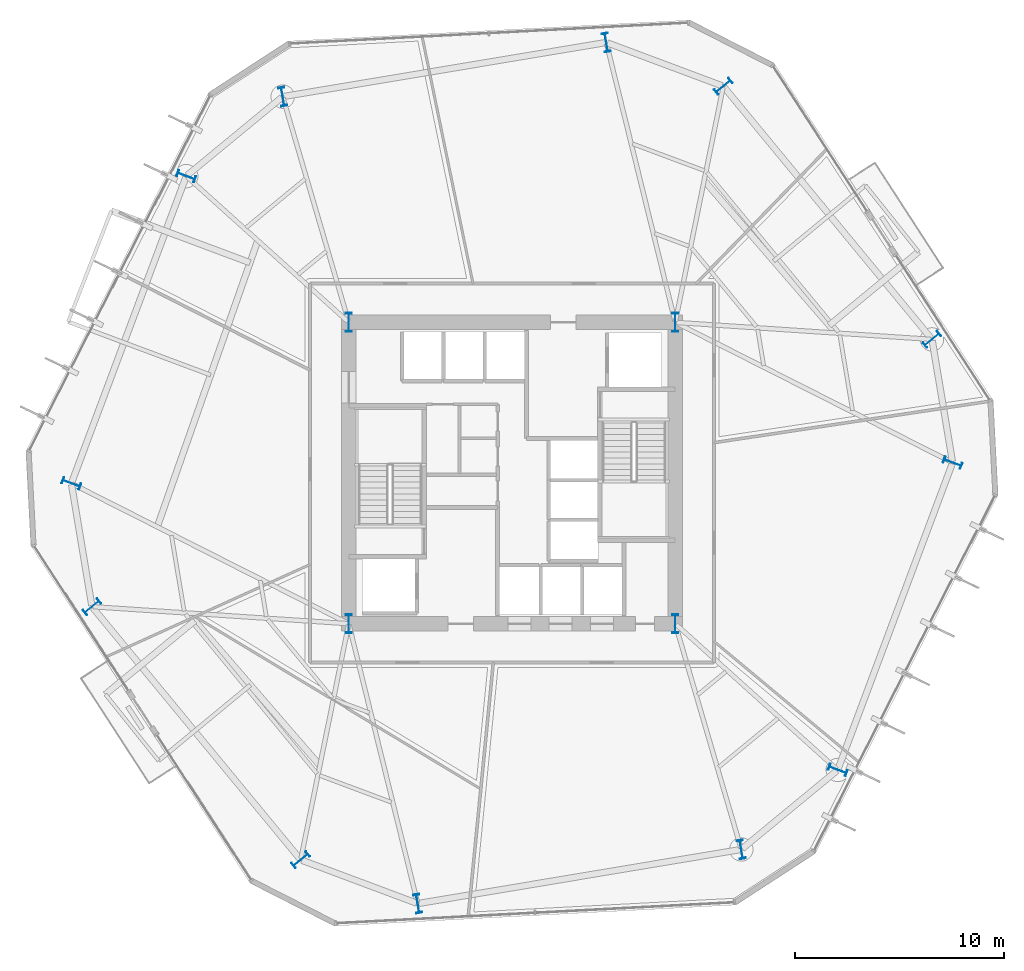
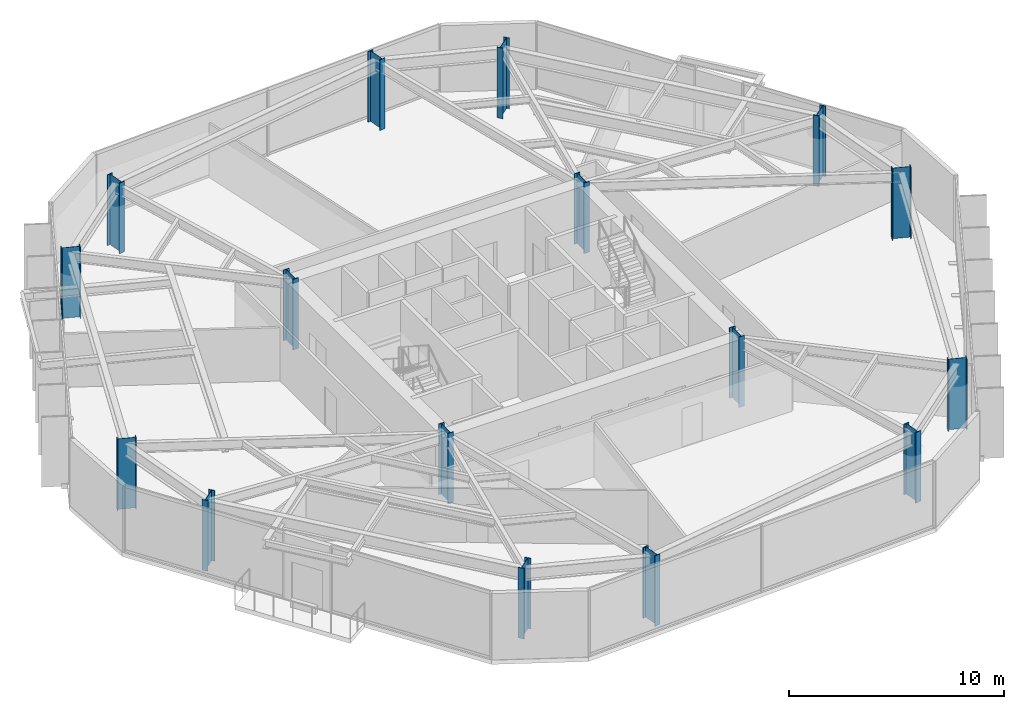
# One storey, part 1 of 10: 16 columns.
"""IFC4 building model written with IfcOpenShell, lengths in metres."""

from ifc_helpers import new_model, si_unit, direction, frame, origin, origin_2d, place, context, subcontext, project, spatial, i_section, extrude, material, material_profile, profile_set, type_object, element, save


model = new_model("IFC4")

# Units and contexts
model_context = context("Model", 3, precision=1e-05, world=origin(), true_north=direction((0.0, 1.0)))
body_context = subcontext(model_context, "Body", "Model", "MODEL_VIEW")
ifc_project = project(units=[si_unit("LENGTHUNIT", "METRE"), si_unit("AREAUNIT", "SQUARE_METRE"), si_unit("VOLUMEUNIT", "CUBIC_METRE"), si_unit("PLANEANGLEUNIT", "RADIAN"), si_unit("MASSUNIT", "GRAM", prefix="KILO")], contexts=[model_context])

# Site, building, storey
site_placement = place(None, origin())
site = spatial("IfcSite", under=ifc_project, at=site_placement, CompositionType="ELEMENT")
building_placement = place(site_placement, origin())
building = spatial("IfcBuilding", under=site, at=building_placement, Name="Kranzbogen Civic Tower", CompositionType="ELEMENT")
storey_placement = place(building_placement, frame((0.0, 0.0, 32.0)))
storey = spatial("IfcBuildingStorey", under=building, at=storey_placement, Name="L07", CompositionType="ELEMENT", Elevation=32.0)

# Columns
ifc_material = material(Name="Steel S460", Category="steel")
ifc_material_profile = material_profile(ifc_material, i_section(OverallWidth=0.302001953125, OverallDepth=0.909912109375, WebThickness=0.02099609375, FlangeThickness=0.0400390625, at=origin_2d()), Name="HEM 900")
ifc_profile_set = profile_set([ifc_material_profile], Name="Steel S460")
column_type = type_object("IfcColumnType", Name="Structural Column HEM 900", PredefinedType="COLUMN", material=ifc_profile_set)
for number, where, z_axis, x_axis, name in (
    (1, (17.199951171875, 17.800048828125, 0.0), (0.0, 0.0, 1.0), (1.0, 0.0, 0.0), "L07 composite core corner column 1"),
    (2, (32.800048828125, 17.800048828125, 0.0), (0.0, 0.0, 1.0), (1.0, 0.0, 0.0), "L07 composite core corner column 2"),
    (3, (32.800048828125, 32.199951171875, 0.0), (0.0, 0.0, 1.0), (1.0, 0.0, 0.0), "L07 composite core corner column 3"),
    (4, (17.199951171875, 32.199951171875, 0.0), (0.0, 0.0, 1.0), (1.0, 0.0, 0.0), "L07 composite core corner column 4"),
    (5, (45.072021484375, 31.385986328125, 0.0), (0.0, 0.0, 1.0), (-0.636078220278, 0.771624583388, 0.0), "L07 tower perimeter tube column 01"),
    (6, (35.09912109375, 43.48388671875, 0.0), (0.0, 0.0, 1.0), (-0.636078220278, 0.771624583388, 0.0), "L07 tower perimeter tube column 02"),
    (7, (29.5048828125, 45.575927734375, 0.0), (0.0, 0.0, 1.0), (0.986285601537, 0.165047605861, 0.0), "L07 tower perimeter tube column 03"),
    (8, (14.0419921875, 42.988037109375, 0.0), (0.0, 0.0, 1.0), (0.986285601537, 0.165047605861, 0.0), "L07 tower perimeter tube column 04"),
    (9, (9.43310546875, 39.18896484375, 0.0), (0.0, 0.0, 1.0), (0.350207381259, 0.936672189248, 0.0), "L07 tower perimeter tube column 05"),
    (10, (3.943115234375, 24.50390625, 0.0), (0.0, 0.0, 1.0), (0.350207381259, 0.936672189248, 0.0), "L07 tower perimeter tube column 06"),
    (11, (4.927978515625, 18.614013671875, 0.0), (0.0, 0.0, 1.0), (-0.636078220278, 0.771624583388, 0.0), "L07 tower perimeter tube column 07"),
    (12, (14.90087890625, 6.51611328125, 0.0), (0.0, 0.0, 1.0), (-0.636078220278, 0.771624583388, 0.0), "L07 tower perimeter tube column 08"),
    (13, (20.4951171875, 4.424072265625, 0.0), (0.0, 0.0, 1.0), (0.986285601537, 0.165047605861, 0.0), "L07 tower perimeter tube column 09"),
    (14, (35.9580078125, 7.011962890625, 0.0), (0.0, 0.0, 1.0), (0.986285601537, 0.165047605861, 0.0), "L07 tower perimeter tube column 10"),
    (15, (40.56689453125, 10.81103515625, 0.0), (0.0, 0.0, 1.0), (0.350207381259, 0.936672189248, 0.0), "L07 tower perimeter tube column 11"),
    (16, (46.056884765625, 25.49609375, 0.0), (0.0, 0.0, 1.0), (0.350207381259, 0.936672189248, 0.0), "L07 tower perimeter tube column 12"),
):
    element("IfcColumn", number, at=place(storey_placement, frame(where, z_axis=z_axis, x_axis=x_axis)), inside=storey, type_object=column_type, Name=name, PredefinedType="COLUMN", context=body_context, shape_type="SweptSolid", body=[
        extrude(i_section(OverallWidth=0.302001953125, OverallDepth=0.909912109375, WebThickness=0.02099609375, FlangeThickness=0.0400390625, at=origin_2d()), origin(), (0.0, 0.0, 1.0), 4.0),
    ])

save(model, "model.ifc")
